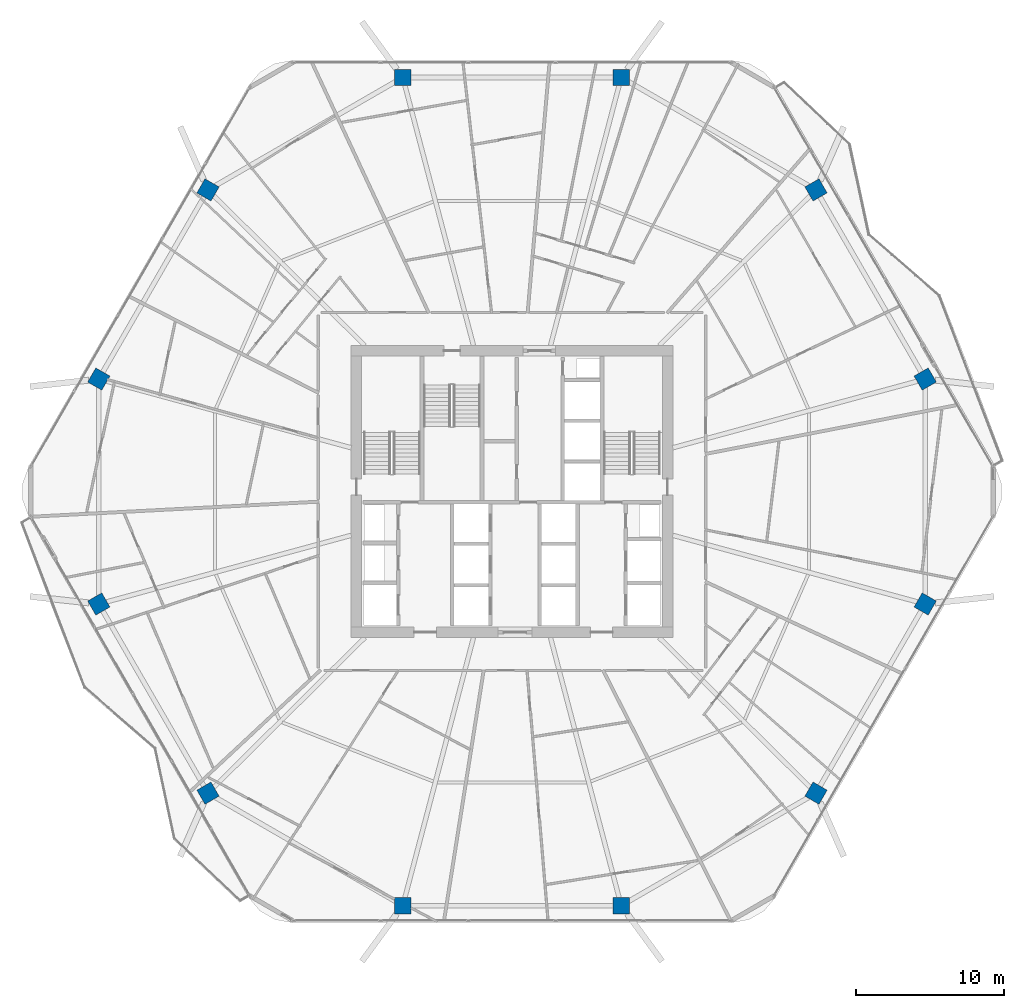
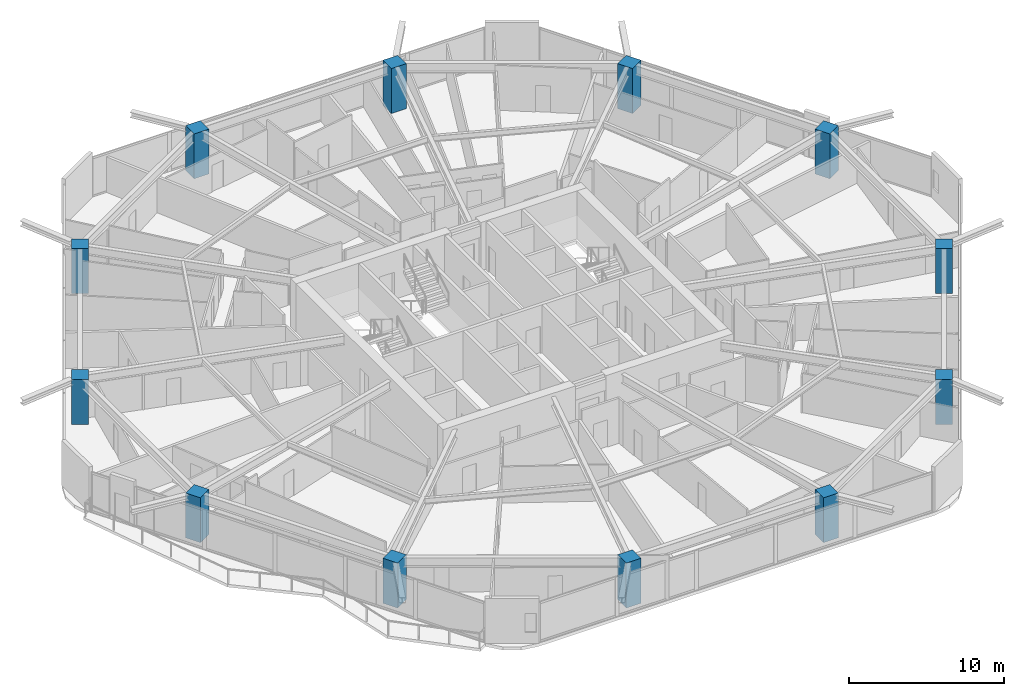
# One storey, part 1 of 29: 12 columns.
"""IFC4 building model written with IfcOpenShell, lengths in metres."""

from ifc_helpers import new_model, si_unit, direction, frame, origin, origin_2d, place, context, subcontext, project, spatial, rectangle, extrude, material, material_profile, profile_set, type_object, element, save


model = new_model("IFC4")

# Units and contexts
model_context = context("Model", 3, precision=1e-05, world=origin(), true_north=direction((0.0, 1.0)))
body_context = subcontext(model_context, "Body", "Model", "MODEL_VIEW")
ifc_project = project(units=[si_unit("LENGTHUNIT", "METRE"), si_unit("AREAUNIT", "SQUARE_METRE"), si_unit("VOLUMEUNIT", "CUBIC_METRE"), si_unit("PLANEANGLEUNIT", "RADIAN"), si_unit("MASSUNIT", "GRAM", prefix="KILO")], contexts=[model_context])

# Site, building, storey
site_placement = place(None, origin())
site = spatial("IfcSite", under=ifc_project, at=site_placement, CompositionType="ELEMENT")
building_placement = place(site_placement, origin())
building = spatial("IfcBuilding", under=site, at=building_placement, Name="Zuhravey Tower", CompositionType="ELEMENT")
storey_placement = place(building_placement, frame((0.0, 0.0, 134.199951171875)))
storey = spatial("IfcBuildingStorey", under=building, at=storey_placement, Name="L33", CompositionType="ELEMENT", Elevation=134.199951171875)

# Columns
ifc_material = material(Name="Concrete C60/75", Category="concrete")
ifc_material_profile = material_profile(ifc_material, rectangle(XDim=1.10009765625, YDim=1.10009765625, at=origin_2d()), Name="RC-1100x1100")
ifc_profile_set = profile_set([ifc_material_profile], Name="Concrete C60/75")
column_type = type_object("IfcColumnType", Name="Zone 1 Upper Column 1100x1100", PredefinedType="COLUMN", material=ifc_profile_set)
for number, where, z_axis, x_axis, name in (
    (1, (63.88916015625, 39.591552734375, 0.0), (0.0, 0.0, 1.0), (-0.5, 0.866025403784, 0.0), "L33 Perimeter Column PC01"),
    (2, (56.51904296875, 52.35693359375, 0.0), (0.0, 0.0, 1.0), (-0.5, 0.866025403784, 0.0), "L33 Perimeter Column PC02"),
    (3, (43.3701171875, 59.948486328125, 0.0), (0.0, 0.0, 1.0), (-1.0, 0.0, 0.0), "L33 Perimeter Column PC03"),
    (4, (28.6298828125, 59.948486328125, 0.0), (0.0, 0.0, 1.0), (-1.0, 0.0, 0.0), "L33 Perimeter Column PC04"),
    (5, (15.48095703125, 52.35693359375, 0.0), (0.0, 0.0, 1.0), (-0.5, -0.866025403784, 0.0), "L33 Perimeter Column PC05"),
    (6, (8.11083984375, 39.591552734375, 0.0), (0.0, 0.0, 1.0), (-0.5, -0.866025403784, 0.0), "L33 Perimeter Column PC06"),
    (7, (8.11083984375, 24.408447265625, 0.0), (0.0, 0.0, 1.0), (0.5, -0.866025403784, 0.0), "L33 Perimeter Column PC07"),
    (8, (15.48095703125, 11.64306640625, 0.0), (0.0, 0.0, 1.0), (0.5, -0.866025403784, 0.0), "L33 Perimeter Column PC08"),
    (9, (28.6298828125, 4.051513671875, 0.0), (0.0, 0.0, 1.0), (1.0, 0.0, 0.0), "L33 Perimeter Column PC09"),
    (10, (43.3701171875, 4.051513671875, 0.0), (0.0, 0.0, 1.0), (1.0, 0.0, 0.0), "L33 Perimeter Column PC10"),
    (11, (56.51904296875, 11.64306640625, 0.0), (0.0, 0.0, 1.0), (0.5, 0.866025403784, 0.0), "L33 Perimeter Column PC11"),
    (12, (63.88916015625, 24.408447265625, 0.0), (0.0, 0.0, 1.0), (0.5, 0.866025403784, 0.0), "L33 Perimeter Column PC12"),
):
    element("IfcColumn", number, at=place(storey_placement, frame(where, z_axis=z_axis, x_axis=x_axis)), inside=storey, type_object=column_type, Name=name, PredefinedType="COLUMN", context=body_context, shape_type="SweptSolid", body=[
        extrude(rectangle(XDim=1.10009765625, YDim=1.10009765625, at=origin_2d()), origin(), (0.0, 0.0, 1.0), 3.550048828125),
    ])

save(model, "model.ifc")
